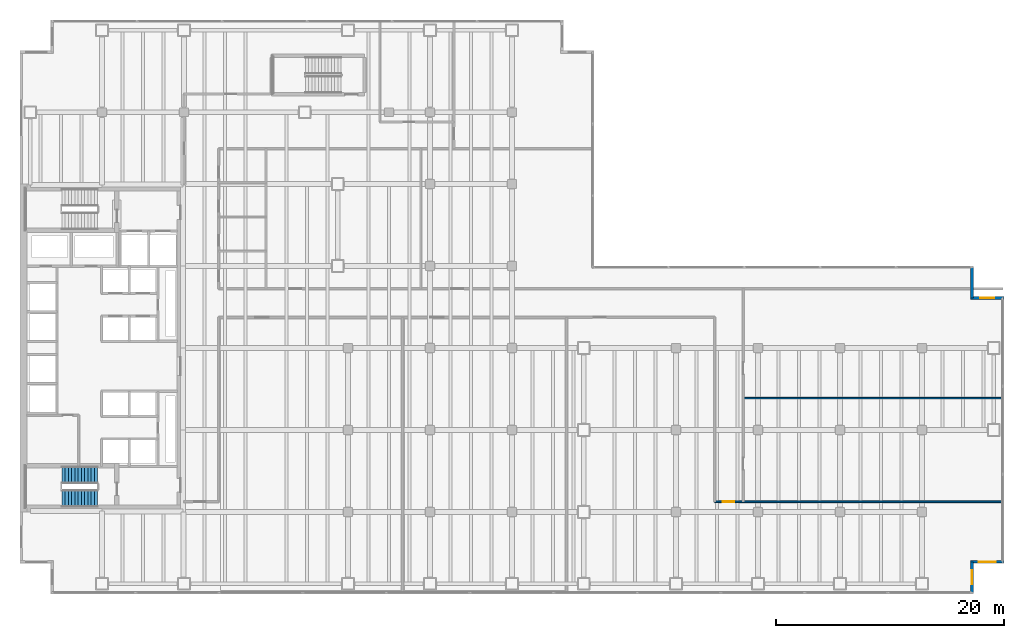
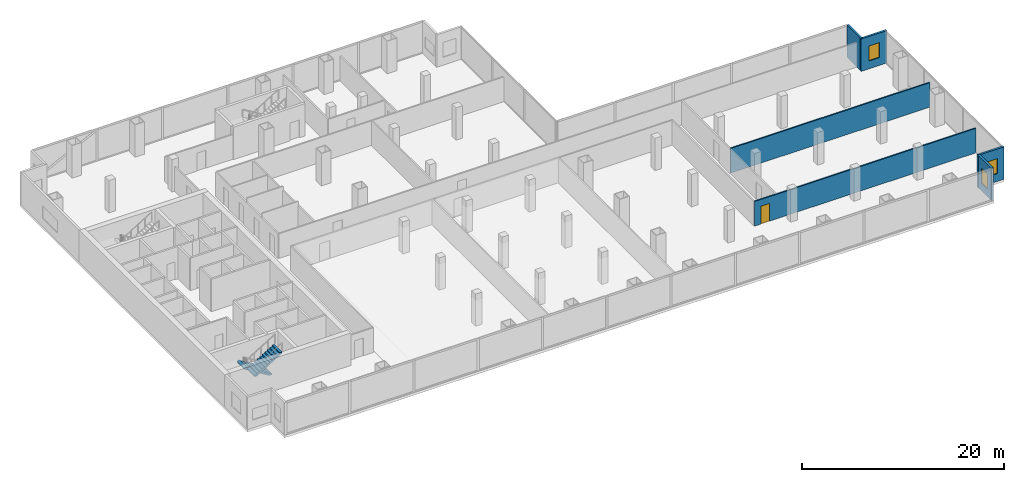
# One storey, part 25 of 28: 6 walls, 3 windows, 2 stair flights, 1 door, 4 openings, 1 element without a shape of its own.
"""IFC4 building model written with IfcOpenShell, lengths in metres."""

from ifc_helpers import new_model, si_unit, direction, frame, frame_2d, origin, place, context, subcontext, project, spatial, polyline, rectangle, outline, extrude, material, layer, layer_set, type_object, element, fill, aggregate, save


model = new_model("IFC4")

# Units and contexts
model_context = context("Model", 3, precision=1e-05, world=origin(), true_north=direction((0.0, 1.0)))
body_context = subcontext(model_context, "Body", "Model", "MODEL_VIEW")
ifc_project = project(units=[si_unit("LENGTHUNIT", "METRE"), si_unit("AREAUNIT", "SQUARE_METRE"), si_unit("VOLUMEUNIT", "CUBIC_METRE"), si_unit("PLANEANGLEUNIT", "RADIAN"), si_unit("MASSUNIT", "GRAM", prefix="KILO")], contexts=[model_context])

# Site, building, storey
site_placement = place(None, origin())
site = spatial("IfcSite", under=ifc_project, at=site_placement, CompositionType="ELEMENT")
building_placement = place(site_placement, origin())
building = spatial("IfcBuilding", under=site, at=building_placement, Name="Cobrela Telecom Tower", CompositionType="ELEMENT")
storey_placement = place(building_placement, frame((0.0, 0.0, 17.85009765625)))
storey = spatial("IfcBuildingStorey", under=building, at=storey_placement, Name="L04", CompositionType="ELEMENT", Elevation=17.85009765625)

# Wall
ifc_material_1 = material(Name="Concrete C40/50", Category="concrete")
ifc_layer_1 = layer(ifc_material_1, 0.239990234375)
ifc_layer_set_1 = layer_set([ifc_layer_1], Name="Concrete C40/50")
wall_type_1 = type_object("IfcWallType", Name="WALL-EXT-300", PredefinedType="STANDARD", material=ifc_layer_set_1)
wall_1_placement = place(storey_placement, frame((83.580078125, 28.679931640625, 0.0), z_axis=(0.0, 0.0, 1.0), x_axis=(0.0, -1.0, 0.0)))
element("IfcWall", 1, at=wall_1_placement, inside=storey, type_object=wall_type_1, Name="L04 Insulated Facade Wall 12", PredefinedType="STANDARD", context=body_context, shape_type="SweptSolid", body=[
    extrude(rectangle(XDim=2.699951171875, YDim=0.239990234375, at=frame_2d((1.35009765625, 0.0))), origin(), (0.0, 0.0, 1.0), 3.909912109375),
])

# Wall, opening, window
wall_2_placement = place(storey_placement, frame((83.4599609375, 25.97998046875, 0.0), z_axis=(0.0, 0.0, 1.0), x_axis=(1.0, 0.0, 0.0)))
wall_2 = element("IfcWall", 2, at=wall_2_placement, inside=storey, type_object=wall_type_1, Name="L04 Insulated Facade Wall 13", PredefinedType="STANDARD", context=body_context, shape_type="SweptSolid", body=[
    extrude(rectangle(XDim=2.93994140625, YDim=0.239990234375, at=frame_2d((1.469970703125, 0.0))), origin(), (0.0, 0.0, 1.0), 3.909912109375),
])
opening_1_placement = place(wall_2_placement, frame((0.8701171875, 0.0, 0.949951171875)))
opening_1 = element("IfcOpeningElement", 3, at=opening_1_placement, cuts=wall_2, Name="Opening WN-19", PredefinedType="OPENING", context=body_context, shape_type="SweptSolid", body=[
    extrude(rectangle(XDim=1.199951171875, YDim=1.800048828125, at=frame_2d((0.60009765625, 0.89990234375))), frame((0.0, 0.1318359375, 0.0), z_axis=(0.0, -1.0, 0.0), x_axis=(1.0, 0.0, 0.0)), (0.0, 0.0, 1.0), 0.263916015625),
])
ifc_material_2 = material(Name="Solar-Control Bronze Low-E Glass", Category="glass")
window_type_1 = type_object("IfcWindowType", Name="WIN-MOD-1200", PartitioningType="SINGLE_PANEL", PredefinedType="WINDOW", material=ifc_material_2)
window_1_placement = place(opening_1_placement, origin())
window_1 = element("IfcWindow", 4, at=window_1_placement, inside=storey, type_object=window_type_1, Name="L04 Corner Notch Facade Window 025", OverallHeight=1.800048828125, OverallWidth=1.199951171875, PartitioningType="SINGLE_PANEL", PredefinedType="WINDOW", context=body_context, shape_type="SweptSolid", body=[
    extrude(rectangle(XDim=1.199951171875, YDim=1.800048828125, at=frame_2d((0.60009765625, 0.89990234375))), frame((0.0, 0.030029296875, 0.0), z_axis=(0.0, -1.0, 0.0), x_axis=(1.0, 0.0, 0.0)), (0.0, 0.0, 1.0), 0.06005859375),
])
fill(opening_1, window_1)

wall_3_placement = place(storey_placement, frame((86.39990234375, 2.820068359375, 0.0), z_axis=(0.0, 0.0, 1.0), x_axis=(-1.0, 0.0, 0.0)))
wall_3 = element("IfcWall", 5, at=wall_3_placement, inside=storey, type_object=wall_type_1, Name="L04 Insulated Facade Wall 15", PredefinedType="STANDARD", context=body_context, shape_type="SweptSolid", body=[
    extrude(rectangle(XDim=2.93994140625, YDim=0.239990234375, at=frame_2d((1.469970703125, 0.0))), origin(), (0.0, 0.0, 1.0), 3.909912109375),
])
opening_2_placement = place(wall_3_placement, frame((0.719970703125, 0.0, 0.949951171875)))
opening_2 = element("IfcOpeningElement", 6, at=opening_2_placement, cuts=wall_3, Name="Opening WN-45", PredefinedType="OPENING", context=body_context, shape_type="SweptSolid", body=[
    extrude(rectangle(XDim=1.5, YDim=1.800048828125, at=frame_2d((0.75, 0.89990234375))), frame((0.0, 0.1318359375, 0.0), z_axis=(0.0, -1.0, 0.0), x_axis=(1.0, 0.0, 0.0)), (0.0, 0.0, 1.0), 0.263916015625),
])
window_type_2 = type_object("IfcWindowType", Name="WIN-MOD-1500", PartitioningType="SINGLE_PANEL", PredefinedType="WINDOW", material=ifc_material_2)
window_2_placement = place(opening_2_placement, origin())
window_2 = element("IfcWindow", 7, at=window_2_placement, inside=storey, type_object=window_type_2, Name="L04 Corner Notch Facade Window 026", OverallHeight=1.800048828125, OverallWidth=1.5, PartitioningType="SINGLE_PANEL", PredefinedType="WINDOW", context=body_context, shape_type="SweptSolid", body=[
    extrude(rectangle(XDim=1.5, YDim=1.800048828125, at=frame_2d((0.75, 0.89990234375))), frame((0.0, 0.030029296875, 0.0), z_axis=(0.0, -1.0, 0.0), x_axis=(1.0, 0.0, 0.0)), (0.0, 0.0, 1.0), 0.06005859375),
])
fill(opening_2, window_2)

wall_4_placement = place(storey_placement, frame((83.580078125, 2.820068359375, 0.0), z_axis=(0.0, 0.0, 1.0), x_axis=(0.0, -1.0, 0.0)))
wall_4 = element("IfcWall", 8, at=wall_4_placement, inside=storey, type_object=wall_type_1, Name="L04 Insulated Facade Wall 16", PredefinedType="STANDARD", context=body_context, shape_type="SweptSolid", body=[
    extrude(rectangle(XDim=2.699951171875, YDim=0.239990234375, at=frame_2d((1.35009765625, 0.0))), origin(), (0.0, 0.0, 1.0), 3.909912109375),
])
opening_3_placement = place(wall_4_placement, frame((0.75, 0.0, 0.949951171875)))
opening_3 = element("IfcOpeningElement", 9, at=opening_3_placement, cuts=wall_4, Name="Opening WN-19", PredefinedType="OPENING", context=body_context, shape_type="SweptSolid", body=[
    extrude(rectangle(XDim=1.199951171875, YDim=1.800048828125, at=frame_2d((0.60009765625, 0.89990234375))), frame((0.0, 0.1318359375, 0.0), z_axis=(0.0, -1.0, 0.0), x_axis=(1.0, 0.0, 0.0)), (0.0, 0.0, 1.0), 0.263916015625),
])
window_3_placement = place(opening_3_placement, origin())
window_3 = element("IfcWindow", 10, at=window_3_placement, inside=storey, type_object=window_type_1, Name="L04 Corner Notch Facade Window 027", OverallHeight=1.800048828125, OverallWidth=1.199951171875, PartitioningType="SINGLE_PANEL", PredefinedType="WINDOW", context=body_context, shape_type="SweptSolid", body=[
    extrude(rectangle(XDim=1.199951171875, YDim=1.800048828125, at=frame_2d((0.60009765625, 0.89990234375))), frame((0.0, 0.030029296875, 0.0), z_axis=(0.0, -1.0, 0.0), x_axis=(1.0, 0.0, 0.0)), (0.0, 0.0, 1.0), 0.06005859375),
])
fill(opening_3, window_3)

# Wall, opening, door
ifc_material_3 = material(Name="Fire-Rated Gypsum Plasterboard")
ifc_layer_2 = layer(ifc_material_3, 0.14990234375)
ifc_layer_set_2 = layer_set([ifc_layer_2], Name="Fire-Rated Gypsum Plasterboard")
wall_type_2 = type_object("IfcWallType", Name="WALL-PART-150", PredefinedType="PARTITIONING", material=ifc_layer_set_2)
wall_5_placement = place(storey_placement, frame((61.0, 8.10009765625, 0.0), z_axis=(0.0, 0.0, 1.0), x_axis=(1.0, 0.0, 0.0)))
wall_5 = element("IfcWall", 11, at=wall_5_placement, inside=storey, type_object=wall_type_2, Name="L04 Interior Partition W-P4-LPS", PredefinedType="PARTITIONING", context=body_context, shape_type="SweptSolid", body=[
    extrude(rectangle(XDim=25.280029296875, YDim=0.14990234375, at=frame_2d((12.64013671875, 0.0))), origin(), (0.0, 0.0, 1.0), 2.968017578125),
])
opening_4_placement = place(wall_5_placement, frame((0.699951171875, 0.0, 0.0)))
opening_4 = element("IfcOpeningElement", 12, at=opening_4_placement, cuts=wall_5, Name="Opening DR-31", PredefinedType="OPENING", context=body_context, shape_type="SweptSolid", body=[
    extrude(rectangle(XDim=1.0, YDim=2.14990234375, at=frame_2d((0.5, 1.074951171875))), frame((0.0, 0.0869140625, 0.0), z_axis=(0.0, -1.0, 0.0), x_axis=(1.0, 0.0, 0.0)), (0.0, 0.0, 1.0), 0.173828125),
])
ifc_material_4 = material(Name="Solid Engineered Oak Timber", Category="wood")
door_type = type_object("IfcDoorType", Name="DOOR-INT-1000", OperationType="SINGLE_SWING_LEFT", PredefinedType="DOOR", material=ifc_material_4)
door_placement = place(opening_4_placement, origin())
door = element("IfcDoor", 13, at=door_placement, inside=storey, type_object=door_type, Name="L04 Door DR-31", OperationType="SINGLE_SWING_LEFT", OverallHeight=2.14990234375, OverallWidth=1.0, PredefinedType="DOOR", context=body_context, shape_type="SweptSolid", body=[
    extrude(rectangle(XDim=1.0, YDim=2.14990234375, at=frame_2d((0.5, 1.074951171875))), frame((0.0, 0.02490234375, 0.0), z_axis=(0.0, -1.0, 0.0), x_axis=(1.0, 0.0, 0.0)), (0.0, 0.0, 1.0), 0.050048828125),
])
fill(opening_4, door)

# Wall
wall_6_placement = place(storey_placement, frame((63.5, 17.199951171875, 0.0), z_axis=(0.0, 0.0, 1.0), x_axis=(1.0, 0.0, 0.0)))
element("IfcWall", 14, at=wall_6_placement, inside=storey, type_object=wall_type_2, Name="L04 Interior Partition W-P4-EH1", PredefinedType="PARTITIONING", context=body_context, shape_type="SweptSolid", body=[
    extrude(rectangle(XDim=22.780029296875, YDim=0.14990234375, at=frame_2d((11.39013671875, 0.0))), origin(), (0.0, 0.0, 1.0), 2.968017578125),
])

# Stair, stair flights
stair_type = type_object("IfcStairType", Name="STAIR-CORE", PredefinedType="HALF_TURN_STAIR", material=ifc_material_1)
stair_placement = place(storey_placement, origin())
stair = element("IfcStair", 15, at=stair_placement, inside=storey, type_object=stair_type, Name="L04 Smokeproof Exit Stair ST2", PredefinedType="HALF_TURN_STAIR")
stair_flight_type = type_object("IfcStairFlightType", Name="FLIGHT-CORE", PredefinedType="STRAIGHT", material=ifc_material_1)
stair_flight_1_placement = place(storey_placement, frame((6.820068359375, 10.449951171875, 0.0), z_axis=(0.0, 0.0, 1.0), x_axis=(-1.0, 0.0, 0.0)))
stair_flight_1 = element("IfcStairFlight", 16, at=stair_flight_1_placement, type_object=stair_flight_type, Name="ST2 flight 1", NumberOfRisers=12, NumberOfTreads=11, PredefinedType="STRAIGHT", RiserHeight=0.175, TreadLength=0.285, context=body_context, shape_type="SweptSolid", body=[
    extrude(outline(polyline([(0.0, 0.0), (0.0, 0.175048828125), (0.284912109375, 0.175048828125), (0.284912109375, 0.35009765625), (0.570068359375, 0.35009765625), (0.570068359375, 0.52490234375), (0.85498046875, 0.52490234375), (0.85498046875, 0.699951171875), (1.139892578125, 0.699951171875), (1.139892578125, 0.875), (1.425048828125, 0.875), (1.425048828125, 1.050048828125), (1.7099609375, 1.050048828125), (1.7099609375, 1.22509765625), (1.9951171875, 1.22509765625), (1.9951171875, 1.39990234375), (2.280029296875, 1.39990234375), (2.280029296875, 1.574951171875), (2.56494140625, 1.574951171875), (2.56494140625, 1.75), (2.85009765625, 1.75), (2.85009765625, 1.925048828125), (3.135009765625, 1.925048828125), (3.135009765625, 2.10009765625), (3.135009765625, 1.7490234375), (0.286376953125, 0.0), (0.0, 0.0)])), frame((0.0, 0.75, 0.0), z_axis=(0.0, -1.0, 0.0), x_axis=(1.0, 0.0, 0.0)), (0.0, 0.0, 1.0), 1.5),
])
stair_flight_2_placement = place(storey_placement, frame((3.68505859375, 8.39990234375, 2.099853515625), z_axis=(0.0, 0.0, 1.0), x_axis=(1.0, 0.0, 0.0)))
stair_flight_2 = element("IfcStairFlight", 17, at=stair_flight_2_placement, type_object=stair_flight_type, Name="ST2 flight 2", NumberOfRisers=12, NumberOfTreads=11, PredefinedType="STRAIGHT", RiserHeight=0.175, TreadLength=0.285, context=body_context, shape_type="SweptSolid", body=[
    extrude(outline(polyline([(0.0, 0.0), (0.0, 0.175048828125), (0.284912109375, 0.175048828125), (0.284912109375, 0.35009765625), (0.570068359375, 0.35009765625), (0.570068359375, 0.52490234375), (0.85498046875, 0.52490234375), (0.85498046875, 0.699951171875), (1.139892578125, 0.699951171875), (1.139892578125, 0.875), (1.425048828125, 0.875), (1.425048828125, 1.050048828125), (1.7099609375, 1.050048828125), (1.7099609375, 1.22509765625), (1.9951171875, 1.22509765625), (1.9951171875, 1.39990234375), (2.280029296875, 1.39990234375), (2.280029296875, 1.574951171875), (2.56494140625, 1.574951171875), (2.56494140625, 1.75), (2.85009765625, 1.75), (2.85009765625, 1.925048828125), (3.135009765625, 1.925048828125), (3.135009765625, 2.10009765625), (3.135009765625, 1.7490234375), (0.286376953125, 0.0), (0.0, 0.0)])), frame((0.0, 0.75, 0.0), z_axis=(0.0, -1.0, 0.0), x_axis=(1.0, 0.0, 0.0)), (0.0, 0.0, 1.0), 1.5),
])
aggregate(stair, [stair_flight_1, stair_flight_2])

save(model, "model.ifc")
